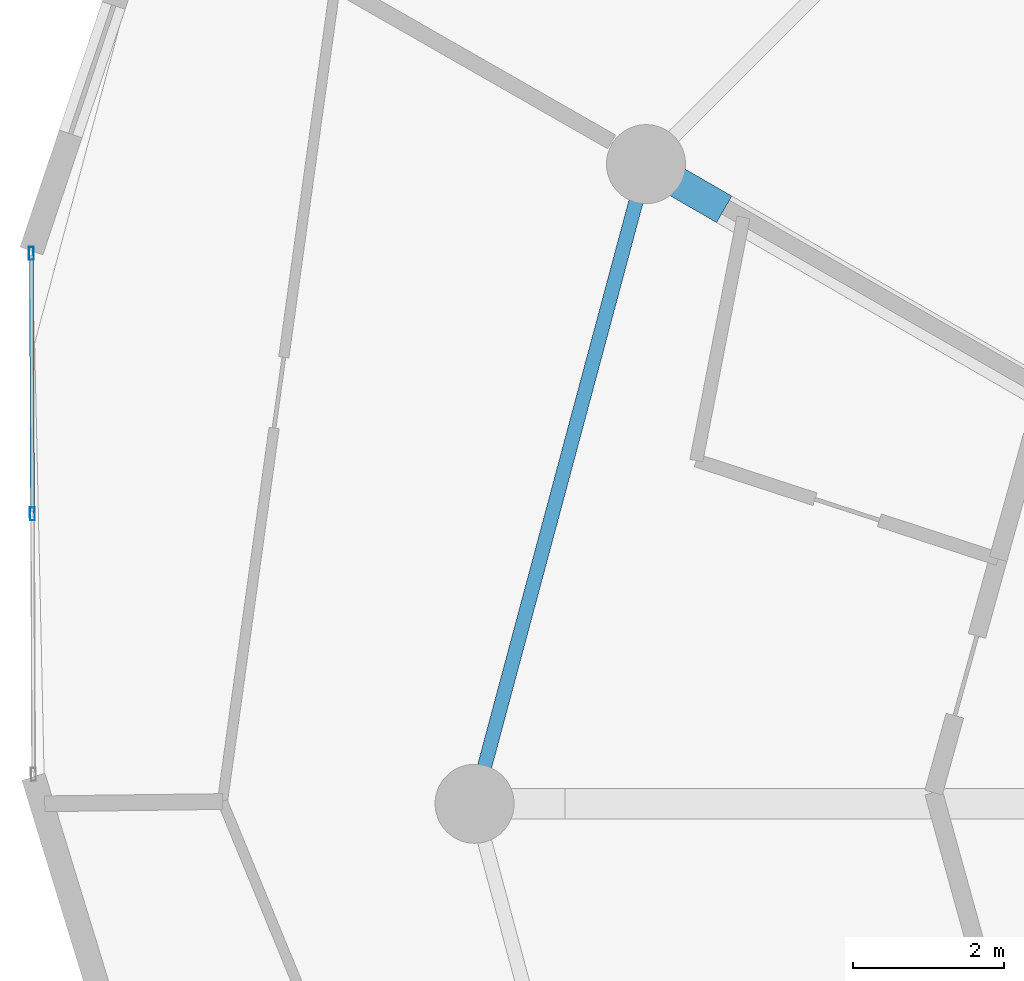
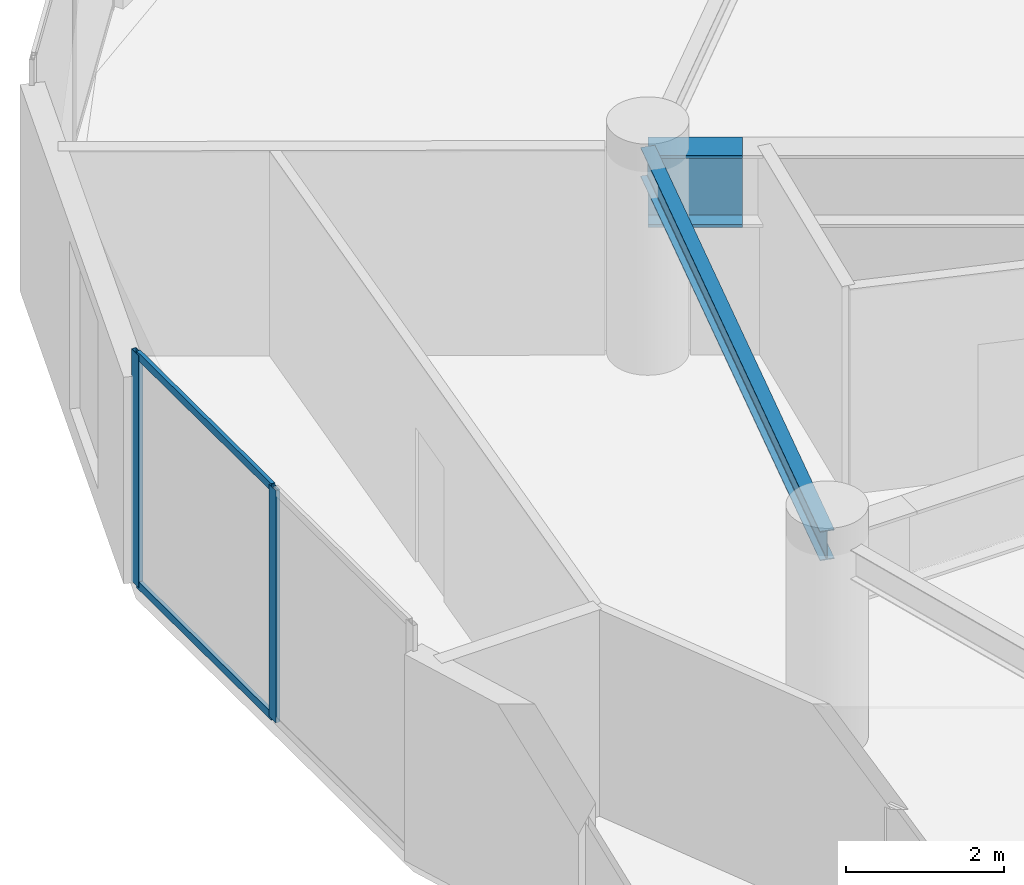
# One storey, part 7 of 22: 4 members, 2 beams, 1 element without a shape of its own.
"""IFC4 building model written with IfcOpenShell, lengths in metres."""

from ifc_helpers import new_model, si_unit, direction, frame, origin, origin_2d, place, context, subcontext, project, spatial, hollow_rectangle, i_section, extrude, source, transform, mapped, material, layer, layer_set, material_profile, profile_set, type_object, element, aggregate, save


model = new_model("IFC4")

# Units and contexts
model_context = context("Model", 3, precision=1e-05, world=origin(), true_north=direction((0.0, 1.0)))
body_context = subcontext(model_context, "Body", "Model", "MODEL_VIEW")
ifc_project = project(units=[si_unit("LENGTHUNIT", "METRE"), si_unit("AREAUNIT", "SQUARE_METRE"), si_unit("VOLUMEUNIT", "CUBIC_METRE"), si_unit("PLANEANGLEUNIT", "RADIAN"), si_unit("MASSUNIT", "GRAM", prefix="KILO")], contexts=[model_context])

# Site, building, storey
site_placement = place(None, origin())
site = spatial("IfcSite", under=ifc_project, at=site_placement, CompositionType="ELEMENT")
building_placement = place(site_placement, origin())
building = spatial("IfcBuilding", under=site, at=building_placement, Name="Solvirekh Grand Hotel", CompositionType="ELEMENT")
storey_placement = place(building_placement, frame((0.0, 0.0, 160.199951171875)))
storey = spatial("IfcBuildingStorey", under=building, at=storey_placement, Name="L41", CompositionType="ELEMENT", Elevation=160.199951171875)

# Beams
ifc_material_1 = material(Name="Steel S355", Category="steel")
ifc_material_profile_1 = material_profile(ifc_material_1, i_section(OverallWidth=0.18994140625, OverallDepth=0.45703125, WebThickness=0.009033203125, FlangeThickness=0.013916015625, FilletRadius=0.012939453125, at=origin_2d()), Name="W460X74")
ifc_profile_set_1 = profile_set([ifc_material_profile_1], Name="Steel S355")
beam_type_1 = type_object("IfcBeamType", Name="Spandrel_Ring_W460", PredefinedType="SPANDREL", material=ifc_profile_set_1)
beam_1_placement = place(storey_placement, frame((-14.721923828125, 8.5, 2.97216796875), z_axis=(-0.258872908946, -0.965911391906, 0.0), x_axis=(0.965911391906, -0.258872908946, 0.0)))
element("IfcBeam", 1, at=beam_1_placement, inside=storey, type_object=beam_type_1, Name="L41 perimeter spandrel beam 6", PredefinedType="SPANDREL", context=body_context, shape_type="SweptSolid", body=[
    extrude(i_section(OverallWidth=0.18994140625, OverallDepth=0.45703125, WebThickness=0.009033203125, FlangeThickness=0.013916015625, FilletRadius=0.012939453125, at=origin_2d()), origin(), (0.0, 0.0, 1.0), 8.800048828125),
])
ifc_material_2 = material(Name="Steel S460", Category="steel")
ifc_material_profile_2 = material_profile(ifc_material_2, i_section(OverallWidth=0.405029296875, OverallDepth=1.117919921875, WebThickness=0.02587890625, FlangeThickness=0.048095703125, FilletRadius=0.02392578125, at=origin_2d()), Name="W1100X499")
ifc_profile_set_2 = profile_set([ifc_material_profile_2], Name="Steel S460")
beam_type_2 = type_object("IfcBeamType", Name="TransferGirder_W1100", PredefinedType="USERDEFINED", material=ifc_profile_set_2)
beam_2_placement = place(storey_placement, frame((-13.68310546875, 7.89990234375, 2.64111328125), z_axis=(-0.865904249203, 0.500209787201, 0.0), x_axis=(-0.500209787201, -0.865904249203, 0.0)))
element("IfcBeam", 2, at=beam_2_placement, inside=storey, type_object=beam_type_2, Name="L41 outer radial transfer girder 6B", ObjectType="TRANSFER GIRDER", PredefinedType="USERDEFINED", context=body_context, shape_type="SweptSolid", body=[
    extrude(i_section(OverallWidth=0.405029296875, OverallDepth=1.117919921875, WebThickness=0.02587890625, FlangeThickness=0.048095703125, FilletRadius=0.02392578125, at=origin_2d()), origin(), (0.0, 0.0, 1.0), 1.19970703125),
])

# Curtain wall, members
ifc_material_3 = material(Name="Anodized Bronze Aluminium 6063-T6", Category="aluminium")
ifc_layer = layer(ifc_material_3, 0.175048828125)
ifc_layer_set = layer_set([ifc_layer], Name="Anodized Bronze Aluminium 6063-T6")
curtain_wall_type = type_object("IfcCurtainWallType", Name="CW_Sys3_MidZoneFlushBronzeCW", PredefinedType="NOTDEFINED", material=ifc_layer_set)
curtain_wall_placement = place(storey_placement, origin())
curtain_wall = element("IfcCurtainWall", 3, at=curtain_wall_placement, inside=storey, type_object=curtain_wall_type, Name="L41 unitised bronze-glass curtain wall CW-L41-C13", PredefinedType="NOTDEFINED")
ifc_material_profile_3 = material_profile(ifc_material_3, hollow_rectangle(XDim=0.06494140625, YDim=0.175048828125, WallThickness=0.0048828125, at=origin_2d()), Name="ALU RHS 175X65X5")
ifc_profile_set_3 = profile_set([ifc_material_profile_3], Name="Anodized Bronze Aluminium 6063-T6")
member_type_1 = type_object("IfcMemberType", Name="CWMullion_Sys3", PredefinedType="MULLION", material=ifc_profile_set_3)
shared_shape_1 = source(origin(), body_context, "Body", "SweptSolid", [
    extrude(hollow_rectangle(XDim=0.06494140625, YDim=0.175048828125, WallThickness=0.0048828125, at=origin_2d()), origin(), (0.0, 0.0, 1.0), 3.60009765625),
])
member_1_placement = place(storey_placement, frame((-22.888916015625, 7.3154296875, 0.0), z_axis=(0.0, 0.0, 1.0), x_axis=(0.999992540009, 0.003862632127, 0.0)))
member_1 = element("IfcMember", 4, at=member_1_placement, type_object=member_type_1, Name="U03 mullion 1", PredefinedType="MULLION", context=body_context, shape_type="MappedRepresentation", body=[
    mapped(shared_shape_1, transform((0.0, 0.0, 0.0), x_axis=(1.0, 0.0, 0.0), y_axis=(0.0, 1.0, 0.0), z_axis=(0.0, 0.0, 1.0), scale=1.0)),
])
member_2_placement = place(storey_placement, frame((-22.87548828125, 3.85302734375, 0.0), z_axis=(0.0, 0.0, 1.0), x_axis=(0.999992540009, 0.003862632127, 0.0)))
member_2 = element("IfcMember", 5, at=member_2_placement, type_object=member_type_1, Name="U03 mullion 2", PredefinedType="MULLION", context=body_context, shape_type="MappedRepresentation", body=[
    mapped(shared_shape_1, transform((0.0, 0.0, 0.0), x_axis=(1.0, 0.0, 0.0), y_axis=(0.0, 1.0, 0.0), z_axis=(0.0, 0.0, 1.0), scale=1.0)),
])
ifc_material_profile_4 = material_profile(ifc_material_3, hollow_rectangle(XDim=0.054931640625, YDim=0.1201171875, WallThickness=0.00390625, at=origin_2d()), Name="ALU RHS 120X55X4")
ifc_profile_set_4 = profile_set([ifc_material_profile_4], Name="Anodized Bronze Aluminium 6063-T6")
member_type_2 = type_object("IfcMemberType", Name="CWTransom_Sys3", PredefinedType="USERDEFINED", material=ifc_profile_set_4)
shared_shape_2 = source(origin(), body_context, "Body", "SweptSolid", [
    extrude(hollow_rectangle(XDim=0.054931640625, YDim=0.1201171875, WallThickness=0.00390625, at=origin_2d()), origin(), (0.0, 0.0, 1.0), 3.3974609375),
])
member_3_placement = place(storey_placement, frame((-22.888671875, 7.282958984375, 0.027587890625), z_axis=(0.003808538058, -0.999992747493, 0.0), x_axis=(0.999992747493, 0.003808538058, 0.0)))
member_3 = element("IfcMember", 6, at=member_3_placement, type_object=member_type_2, Name="U03 transom 1.1", ObjectType="TRANSOM", PredefinedType="USERDEFINED", context=body_context, shape_type="MappedRepresentation", body=[
    mapped(shared_shape_2, transform((0.0, 0.0, 0.0), x_axis=(1.0, 0.0, 0.0), y_axis=(0.0, 1.0, 0.0), z_axis=(0.0, 0.0, 1.0), scale=1.0)),
])
member_4_placement = place(storey_placement, frame((-22.888671875, 7.282958984375, 3.572509765625), z_axis=(0.003808538058, -0.999992747493, 0.0), x_axis=(0.999992747493, 0.003808538058, 0.0)))
member_4 = element("IfcMember", 7, at=member_4_placement, type_object=member_type_2, Name="U03 transom 1.2", ObjectType="TRANSOM", PredefinedType="USERDEFINED", context=body_context, shape_type="MappedRepresentation", body=[
    mapped(shared_shape_2, transform((0.0, 0.0, 0.0), x_axis=(1.0, 0.0, 0.0), y_axis=(0.0, 1.0, 0.0), z_axis=(0.0, 0.0, 1.0), scale=1.0)),
])
aggregate(curtain_wall, [member_1, member_2, member_3, member_4])

save(model, "model.ifc")
